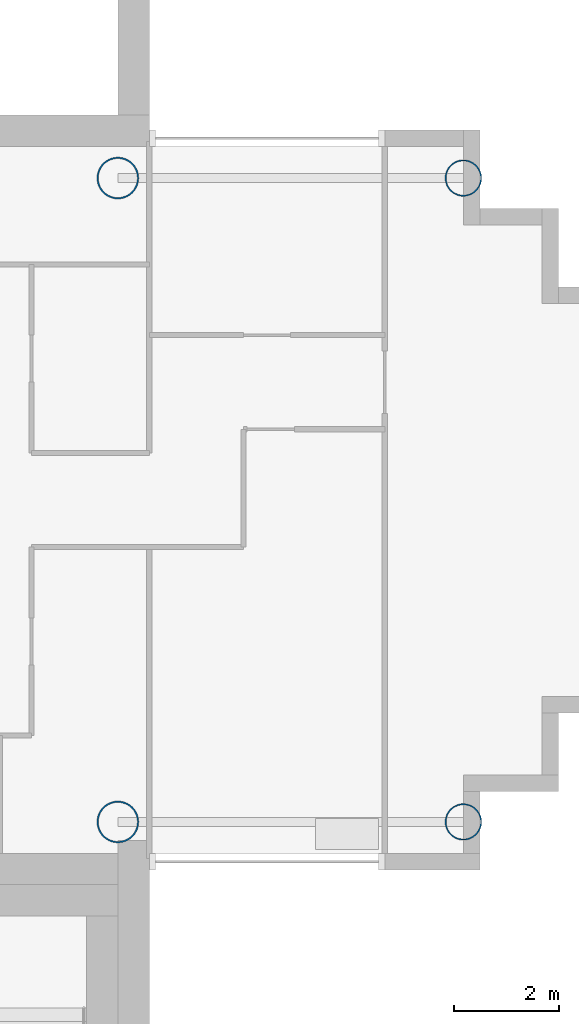
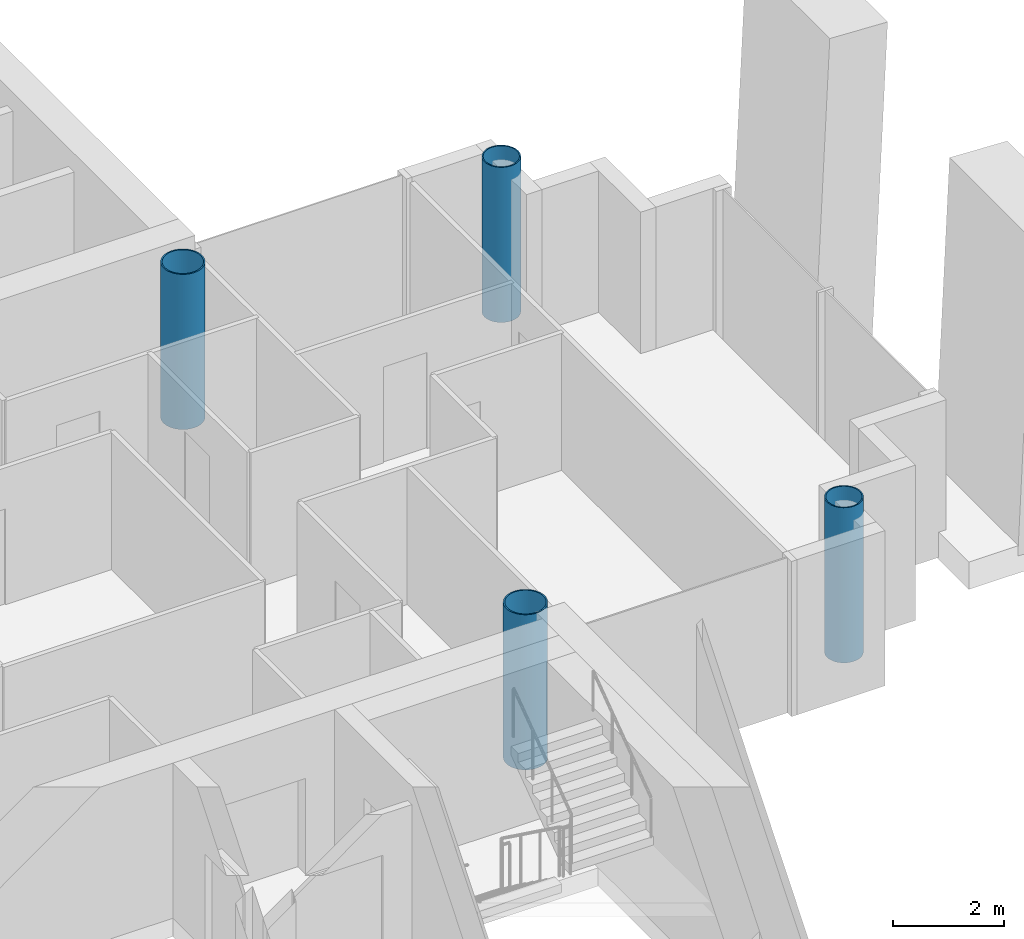
# One storey, part 2 of 18: 4 columns.
"""IFC4 building model written with IfcOpenShell, lengths in metres."""

from ifc_helpers import new_model, si_unit, direction, frame, origin, origin_2d, place, context, subcontext, project, spatial, hollow_circle, extrude, material, material_profile, profile_set, type_object, element, save


model = new_model("IFC4")

# Units and contexts
model_context = context("Model", 3, precision=1e-05, world=origin(), true_north=direction((0.0, 1.0)))
body_context = subcontext(model_context, "Body", "Model", "MODEL_VIEW")
ifc_project = project(units=[si_unit("LENGTHUNIT", "METRE"), si_unit("AREAUNIT", "SQUARE_METRE"), si_unit("VOLUMEUNIT", "CUBIC_METRE"), si_unit("PLANEANGLEUNIT", "RADIAN"), si_unit("MASSUNIT", "GRAM", prefix="KILO")], contexts=[model_context])

# Site, building, storey
site_placement = place(None, origin())
site = spatial("IfcSite", under=ifc_project, at=site_placement, CompositionType="ELEMENT")
building_placement = place(site_placement, origin())
building = spatial("IfcBuilding", under=site, at=building_placement, Name="Ipe Terrace Towers", CompositionType="ELEMENT")
storey_placement = place(building_placement, frame((0.0, 0.0, 223.199951171875)))
storey = spatial("IfcBuildingStorey", under=building, at=storey_placement, Name="L62", CompositionType="ELEMENT", Elevation=223.199951171875)

# Columns
ifc_material_1 = material(Name="Steel S355 tube with Concrete C60/75 fill", Category="concrete")
ifc_material_profile_1 = material_profile(ifc_material_1, hollow_circle(Radius=0.35009765625, WallThickness=0.02490234375, at=origin_2d()), Name="CHS-700x25")
ifc_profile_set_1 = profile_set([ifc_material_profile_1], Name="Steel S355 tube with Concrete C60/75 fill")
column_type_1 = type_object("IfcColumnType", Name="CH08 COLUMN CHS-700x25", PredefinedType="COLUMN", material=ifc_profile_set_1)
for number, where, z_axis, x_axis, name in (
    (1, (48.75, -6.14990234375, 0.0), (0.0, 0.0, 1.0), (1.0, 0.0, 0.0), "Column T2-C-D01"),
    (2, (48.75, 6.14990234375, 0.0), (0.0, 0.0, 1.0), (1.0, 0.0, 0.0), "Column T2-C-D02"),
):
    element("IfcColumn", number, at=place(storey_placement, frame(where, z_axis=z_axis, x_axis=x_axis)), inside=storey, type_object=column_type_1, Name=name, PredefinedType="COLUMN", context=body_context, shape_type="SweptSolid", body=[
        extrude(hollow_circle(Radius=0.35009765625, WallThickness=0.02490234375, at=origin_2d()), origin(), (0.0, 0.0, 1.0), 3.400146484375),
    ])
ifc_material_2 = material(Name="Steel S355 tube with Concrete C60/75 fill", Category="concrete")
ifc_material_profile_2 = material_profile(ifc_material_2, hollow_circle(Radius=0.39990234375, WallThickness=0.028076171875, at=origin_2d()), Name="CHS-800x28")
ifc_profile_set_2 = profile_set([ifc_material_profile_2], Name="Steel S355 tube with Concrete C60/75 fill")
column_type_2 = type_object("IfcColumnType", Name="CH09 COLUMN CHS-800x28", PredefinedType="COLUMN", material=ifc_profile_set_2)
for number, where, z_axis, x_axis, name in (
    (3, (42.14990234375, -6.14990234375, 0.0), (0.0, 0.0, 1.0), (1.0, 0.0, 0.0), "Column T2-C-E01"),
    (4, (42.14990234375, 6.14990234375, 0.0), (0.0, 0.0, 1.0), (1.0, 0.0, 0.0), "Column T2-C-E02"),
):
    element("IfcColumn", number, at=place(storey_placement, frame(where, z_axis=z_axis, x_axis=x_axis)), inside=storey, type_object=column_type_2, Name=name, PredefinedType="COLUMN", context=body_context, shape_type="SweptSolid", body=[
        extrude(hollow_circle(Radius=0.39990234375, WallThickness=0.028076171875, at=origin_2d()), origin(), (0.0, 0.0, 1.0), 3.400146484375),
    ])

save(model, "model.ifc")
